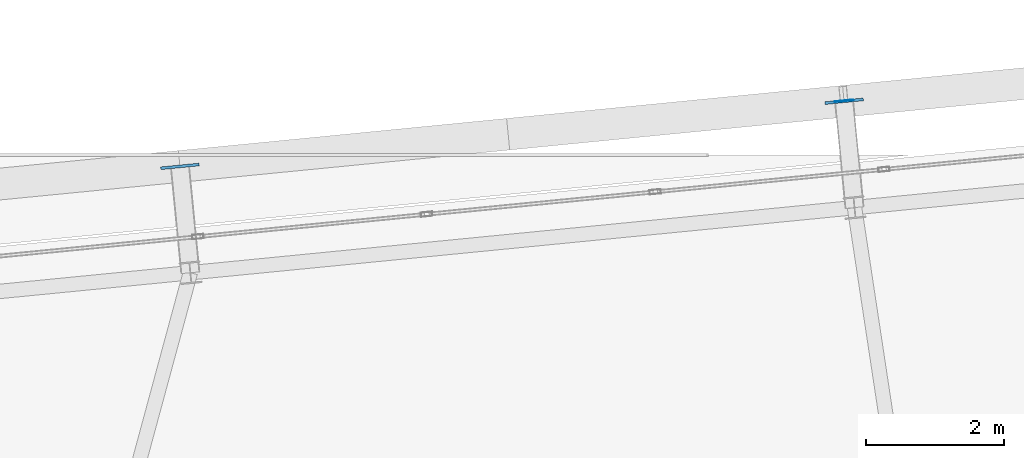
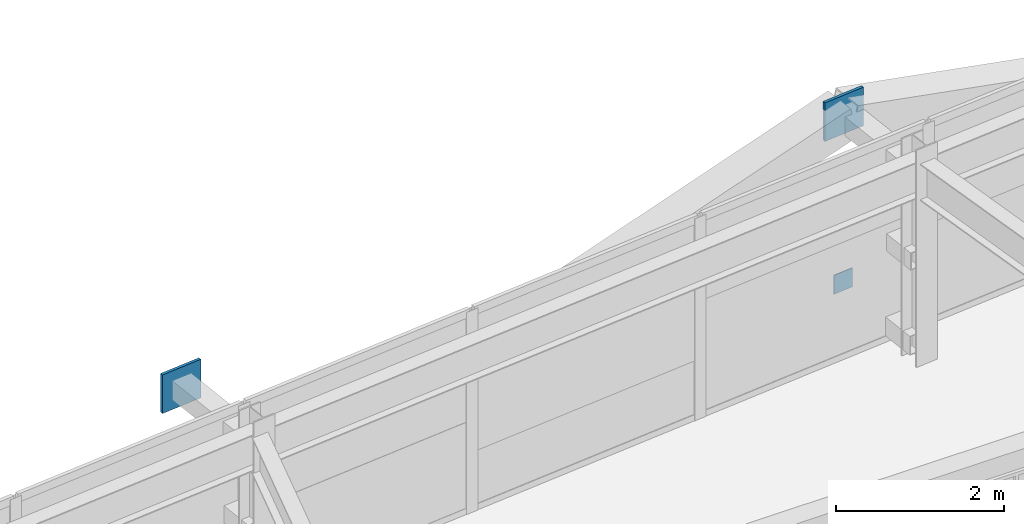
# One storey, part 42 of 51: 3 plates.
"""IFC4 building model written with IfcOpenShell, lengths in metres."""

from ifc_helpers import new_model, si_unit, direction, frame, origin, origin_2d, place, context, subcontext, project, spatial, rectangle, extrude, source, transform, mapped, material, layer, layer_set, type_object, element, save


model = new_model("IFC4")

# Units and contexts
model_context = context("Model", 3, precision=1e-05, world=origin(), true_north=direction((0.0, 1.0)))
body_context = subcontext(model_context, "Body", "Model", "MODEL_VIEW")
ifc_project = project(units=[si_unit("LENGTHUNIT", "METRE"), si_unit("AREAUNIT", "SQUARE_METRE"), si_unit("VOLUMEUNIT", "CUBIC_METRE"), si_unit("PLANEANGLEUNIT", "RADIAN"), si_unit("MASSUNIT", "GRAM", prefix="KILO")], contexts=[model_context])

# Site, building, storey
site_placement = place(None, origin())
site = spatial("IfcSite", under=ifc_project, at=site_placement, CompositionType="ELEMENT")
building_placement = place(site_placement, origin())
building = spatial("IfcBuilding", under=site, at=building_placement, Name="Taldren Reach Tower", CompositionType="ELEMENT")
storey_placement = place(building_placement, frame((0.0, 0.0, 65.10009765625)))
storey = spatial("IfcBuildingStorey", under=building, at=storey_placement, Name="L19", CompositionType="ELEMENT", Elevation=65.10009765625)

# Plates
ifc_material = material(Name="Steel Gr 450 (C450L0)", Category="steel")
ifc_layer_1 = layer(ifc_material, 0.0400390625)
ifc_layer_set_1 = layer_set([ifc_layer_1], Name="Steel Gr 450 (C450L0)")
plate_type_1 = type_object("IfcPlateType", Name="PL-GUSSET-40", PredefinedType="SHEET", material=ifc_layer_set_1)
shared_shape_1 = source(origin(), body_context, "Body", "SweptSolid", [
    extrude(rectangle(XDim=0.56005859375, YDim=0.0400390625, at=origin_2d()), origin(), (0.0, 0.0, 1.0), 0.56005859375),
])
for number, where, z_axis, x_axis, name in (
    (1, (40.346923828125, 38.333251953125, 2.369873046875), (0.0, 0.0, 1.0), (0.995227399982, 0.097582899759, 0.0), "Exoskeleton star-node gusset plate B2-N4 L19"),
    (2, (49.980712890625, 39.27783203125, 2.369873046875), (0.0, 0.0, 1.0), (0.995227399982, 0.097582899759, 0.0), "Exoskeleton star-node gusset plate B2-N5 L19"),
):
    element("IfcPlate", number, at=place(storey_placement, frame(where, z_axis=z_axis, x_axis=x_axis)), inside=storey, type_object=plate_type_1, Name=name, PredefinedType="SHEET", context=body_context, shape_type="MappedRepresentation", body=[
        mapped(shared_shape_1, transform((0.0, 0.0, 0.0), scale=1.0)),
    ])
ifc_layer_2 = layer(ifc_material, 0.011962890625)
ifc_layer_set_2 = layer_set([ifc_layer_2], Name="Steel Gr 450 (C450L0)")
plate_type_2 = type_object("IfcPlateType", Name="PL-CAP-275", PredefinedType="SHEET", material=ifc_layer_set_2)
shared_shape_2 = source(origin(), body_context, "Body", "SweptSolid", [
    extrude(rectangle(XDim=0.27490234375, YDim=0.011962890625, at=origin_2d()), origin(), (0.0, 0.0, 1.0), 0.27490234375),
])
plate_placement = place(storey_placement, frame((49.980224609375, 39.283935546875, 0.08251953125), z_axis=(0.0, 0.0, 1.0), x_axis=(0.995227399982, 0.097582899759, 0.0)))
element("IfcPlate", 3, at=plate_placement, inside=storey, type_object=plate_type_2, Name="Tie strut end cap plate B2-N5 L19", PredefinedType="SHEET", context=body_context, shape_type="MappedRepresentation", body=[
    mapped(shared_shape_2, transform((0.0, 0.0, 0.0), scale=1.0)),
])

save(model, "model.ifc")
